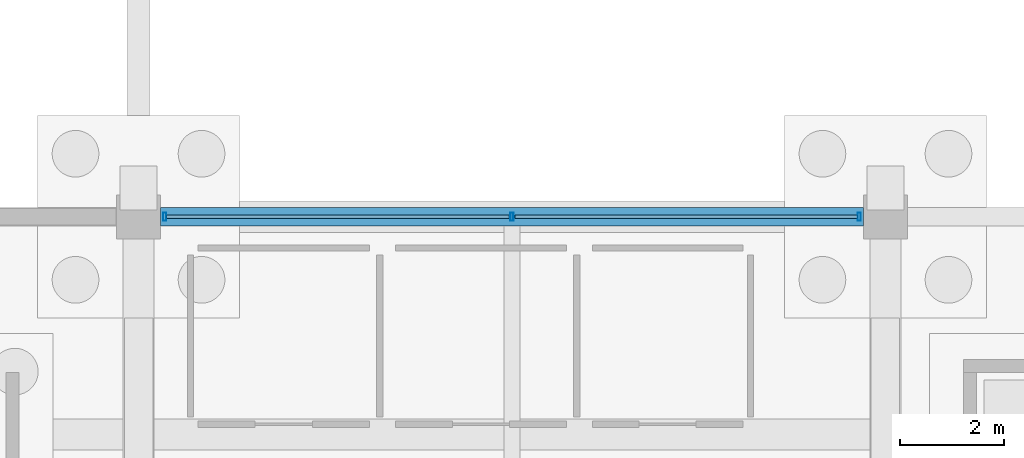
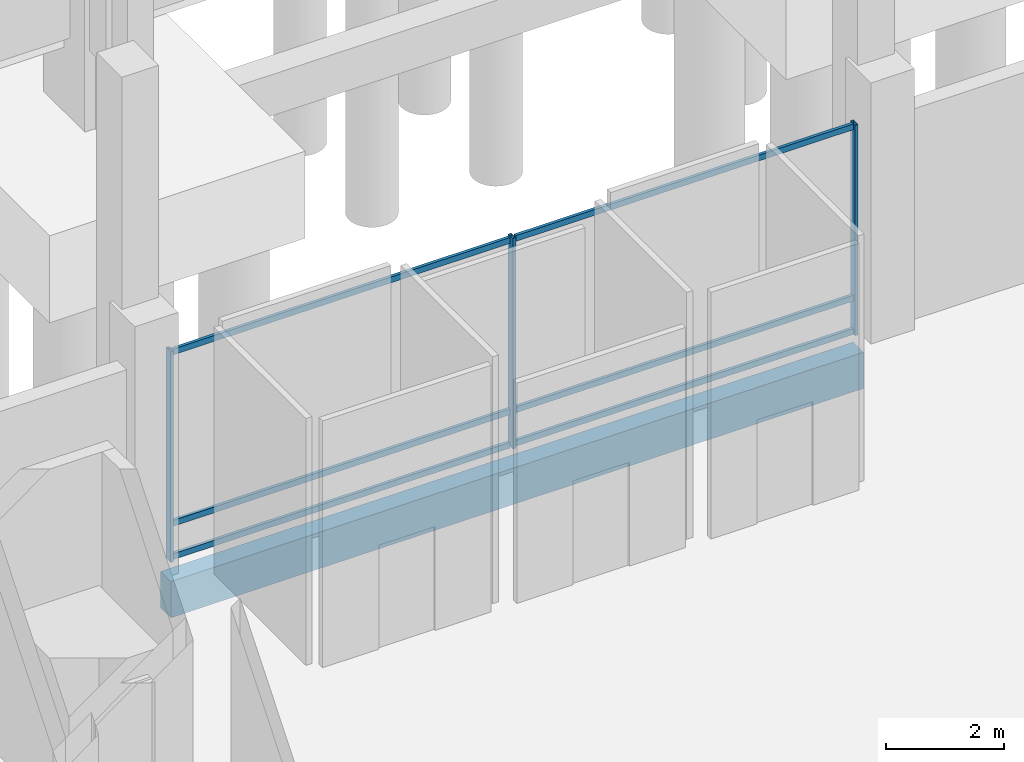
# One storey, part 40 of 192: 9 members, 1 beam, 1 element without a shape of its own.
"""IFC4 building model written with IfcOpenShell, lengths in metres."""

from ifc_helpers import new_model, si_unit, direction, frame, origin, origin_2d, place, context, subcontext, project, spatial, rectangle, hollow_rectangle, extrude, material, material_profile, profile_set, type_object, element, aggregate, save


model = new_model("IFC4")

# Units and contexts
model_context = context("Model", 3, precision=1e-05, world=origin(), true_north=direction((0.0, 1.0)))
body_context = subcontext(model_context, "Body", "Model", "MODEL_VIEW")
ifc_project = project(units=[si_unit("LENGTHUNIT", "METRE"), si_unit("AREAUNIT", "SQUARE_METRE"), si_unit("VOLUMEUNIT", "CUBIC_METRE"), si_unit("PLANEANGLEUNIT", "RADIAN"), si_unit("MASSUNIT", "GRAM", prefix="KILO")], contexts=[model_context])

# Site, building, storey
site_placement = place(None, origin())
site = spatial("IfcSite", under=ifc_project, at=site_placement, CompositionType="ELEMENT")
building_placement = place(site_placement, origin())
building = spatial("IfcBuilding", under=site, at=building_placement, Name="Cendralis Lancet Convention Centre", CompositionType="ELEMENT")
storey_placement = place(building_placement, origin())
storey = spatial("IfcBuildingStorey", under=building, at=storey_placement, Name="L00", CompositionType="ELEMENT", Elevation=0.0)

# Curtain wall, members
ifc_material_1 = material(Name="Anodised bronze architectural aluminium", Category="aluminium")
curtain_wall_type = type_object("IfcCurtainWallType", Name="ARC-CW-CL01", PredefinedType="USERDEFINED", material=ifc_material_1)
curtain_wall_placement = place(storey_placement, origin())
curtain_wall = element("IfcCurtainWall", 1, at=curtain_wall_placement, inside=storey, type_object=curtain_wall_type, Name="L00 Curtain Wall CW-CL1 #163", ObjectType="CURTAIN WALL", PredefinedType="USERDEFINED")
ifc_material_profile_1 = material_profile(ifc_material_1, hollow_rectangle(XDim=0.06005859375, YDim=0.159912109375, WallThickness=0.00390625, at=origin_2d()), Name="AL-MULL 60x160x4.0")
ifc_profile_set_1 = profile_set([ifc_material_profile_1], Name="Anodised bronze architectural aluminium")
member_type_1 = type_object("IfcMemberType", Name="ARC-CW-ML01", PredefinedType="MULLION", material=ifc_profile_set_1)
member_1_placement = place(storey_placement, frame((43.705078125, 36.0, 0.0), z_axis=(0.0, 0.0, 1.0), x_axis=(1.0, 0.0, 0.0)))
member_1 = element("IfcMember", 2, at=member_1_placement, type_object=member_type_1, Name="Mullion CW2-CW-CL1-L00-163-M0", PredefinedType="MULLION", context=body_context, shape_type="SweptSolid", body=[
    extrude(hollow_rectangle(XDim=0.06005859375, YDim=0.159912109375, WallThickness=0.00390625, at=origin_2d()), origin(), (0.0, 0.0, 1.0), 4.35498046875),
])
member_2_placement = place(storey_placement, frame((50.39990234375, 36.0, 0.0), z_axis=(0.0, 0.0, 1.0), x_axis=(1.0, 0.0, 0.0)))
member_2 = element("IfcMember", 3, at=member_2_placement, type_object=member_type_1, Name="Mullion CW2-CW-CL1-L00-163-M1", PredefinedType="MULLION", context=body_context, shape_type="SweptSolid", body=[
    extrude(hollow_rectangle(XDim=0.06005859375, YDim=0.159912109375, WallThickness=0.00390625, at=origin_2d()), origin(), (0.0, 0.0, 1.0), 4.35498046875),
])
member_3_placement = place(storey_placement, frame((57.094970703125, 36.0, 0.0), z_axis=(0.0, 0.0, 1.0), x_axis=(1.0, 0.0, 0.0)))
member_3 = element("IfcMember", 4, at=member_3_placement, type_object=member_type_1, Name="Mullion CW2-CW-CL1-L00-163-M2", PredefinedType="MULLION", context=body_context, shape_type="SweptSolid", body=[
    extrude(hollow_rectangle(XDim=0.06005859375, YDim=0.159912109375, WallThickness=0.00390625, at=origin_2d()), origin(), (0.0, 0.0, 1.0), 4.35498046875),
])
ifc_material_profile_2 = material_profile(ifc_material_1, hollow_rectangle(XDim=0.06005859375, YDim=0.1201171875, WallThickness=0.00390625, at=origin_2d()), Name="AL-TRAN 60x120x4.0")
ifc_profile_set_2 = profile_set([ifc_material_profile_2], Name="Anodised bronze architectural aluminium")
member_type_2 = type_object("IfcMemberType", Name="ARC-CW-TR01", PredefinedType="USERDEFINED", material=ifc_profile_set_2)
member_4_placement = place(storey_placement, frame((43.735107421875, 36.0, 0.06005859375), z_axis=(1.0, 0.0, 0.0), x_axis=(0.0, 1.0, 0.0)))
member_4 = element("IfcMember", 5, at=member_4_placement, type_object=member_type_2, Name="Transom CW2-CW-CL1-L00-163-T0BOT", ObjectType="TRANSOM", PredefinedType="USERDEFINED", context=body_context, shape_type="SweptSolid", body=[
    extrude(hollow_rectangle(XDim=0.06005859375, YDim=0.1201171875, WallThickness=0.00390625, at=origin_2d()), origin(), (0.0, 0.0, 1.0), 6.60498046875),
])
member_5_placement = place(storey_placement, frame((43.735107421875, 36.0, 0.75), z_axis=(1.0, 0.0, 0.0), x_axis=(0.0, 1.0, 0.0)))
member_5 = element("IfcMember", 6, at=member_5_placement, type_object=member_type_2, Name="Transom CW2-CW-CL1-L00-163-T0MID", ObjectType="TRANSOM", PredefinedType="USERDEFINED", context=body_context, shape_type="SweptSolid", body=[
    extrude(hollow_rectangle(XDim=0.06005859375, YDim=0.1201171875, WallThickness=0.00390625, at=origin_2d()), origin(), (0.0, 0.0, 1.0), 6.60498046875),
])
member_6_placement = place(storey_placement, frame((43.735107421875, 36.0, 4.294921875), z_axis=(1.0, 0.0, 0.0), x_axis=(0.0, 1.0, 0.0)))
member_6 = element("IfcMember", 7, at=member_6_placement, type_object=member_type_2, Name="Transom CW2-CW-CL1-L00-163-T0TOP", ObjectType="TRANSOM", PredefinedType="USERDEFINED", context=body_context, shape_type="SweptSolid", body=[
    extrude(hollow_rectangle(XDim=0.06005859375, YDim=0.1201171875, WallThickness=0.00390625, at=origin_2d()), origin(), (0.0, 0.0, 1.0), 6.60498046875),
])
member_7_placement = place(storey_placement, frame((50.4599609375, 36.0, 0.06005859375), z_axis=(1.0, 0.0, 0.0), x_axis=(0.0, 1.0, 0.0)))
member_7 = element("IfcMember", 8, at=member_7_placement, type_object=member_type_2, Name="Transom CW2-CW-CL1-L00-163-T1BOT", ObjectType="TRANSOM", PredefinedType="USERDEFINED", context=body_context, shape_type="SweptSolid", body=[
    extrude(hollow_rectangle(XDim=0.06005859375, YDim=0.1201171875, WallThickness=0.00390625, at=origin_2d()), origin(), (0.0, 0.0, 1.0), 6.60498046875),
])
member_8_placement = place(storey_placement, frame((50.4599609375, 36.0, 0.75), z_axis=(1.0, 0.0, 0.0), x_axis=(0.0, 1.0, 0.0)))
member_8 = element("IfcMember", 9, at=member_8_placement, type_object=member_type_2, Name="Transom CW2-CW-CL1-L00-163-T1MID", ObjectType="TRANSOM", PredefinedType="USERDEFINED", context=body_context, shape_type="SweptSolid", body=[
    extrude(hollow_rectangle(XDim=0.06005859375, YDim=0.1201171875, WallThickness=0.00390625, at=origin_2d()), origin(), (0.0, 0.0, 1.0), 6.60498046875),
])
member_9_placement = place(storey_placement, frame((50.4599609375, 36.0, 4.294921875), z_axis=(1.0, 0.0, 0.0), x_axis=(0.0, 1.0, 0.0)))
member_9 = element("IfcMember", 10, at=member_9_placement, type_object=member_type_2, Name="Transom CW2-CW-CL1-L00-163-T1TOP", ObjectType="TRANSOM", PredefinedType="USERDEFINED", context=body_context, shape_type="SweptSolid", body=[
    extrude(hollow_rectangle(XDim=0.06005859375, YDim=0.1201171875, WallThickness=0.00390625, at=origin_2d()), origin(), (0.0, 0.0, 1.0), 6.60498046875),
])
aggregate(curtain_wall, [member_1, member_2, member_3, member_4, member_5, member_6, member_7, member_8, member_9])

# Beam
ifc_material_2 = material(Name="Concrete G40 (C40/50)", Category="concrete")
ifc_material_profile_3 = material_profile(ifc_material_2, rectangle(XDim=0.35009765625, YDim=0.75, at=origin_2d()), Name="RCB 350x750")
ifc_profile_set_3 = profile_set([ifc_material_profile_3], Name="Concrete G40 (C40/50)")
beam_type = type_object("IfcBeamType", Name="STR-SP-SP01", PredefinedType="SPANDREL", material=ifc_profile_set_3)
beam_placement = place(storey_placement, frame((43.625, 36.0, -0.695068359375), z_axis=(1.0, 0.0, 0.0), x_axis=(0.0, 1.0, 0.0)))
element("IfcBeam", 11, at=beam_placement, inside=storey, type_object=beam_type, Name="L00 Beam SP01 #0685", PredefinedType="SPANDREL", context=body_context, shape_type="SweptSolid", body=[
    extrude(rectangle(XDim=0.35009765625, YDim=0.75, at=origin_2d()), origin(), (0.0, 0.0, 1.0), 13.550048828125),
])

save(model, "model.ifc")
